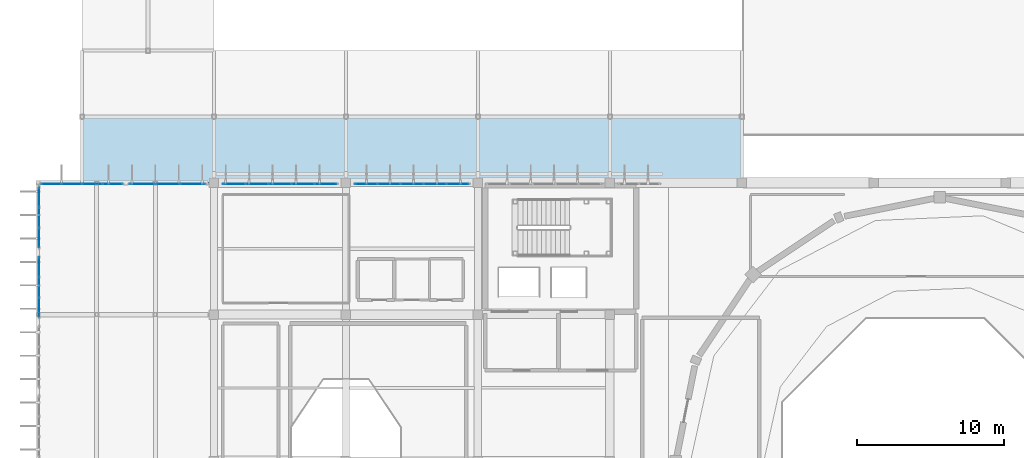
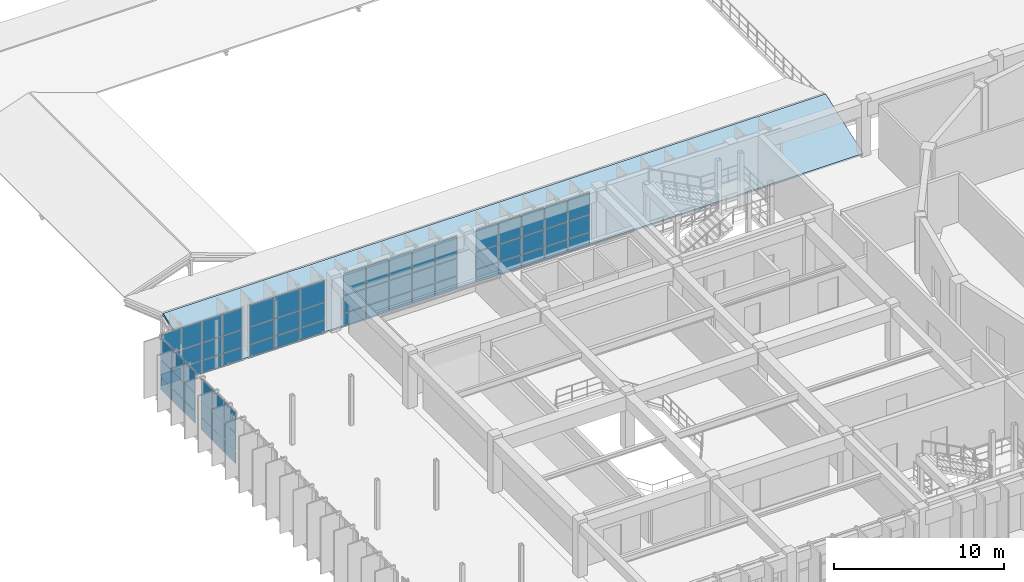
# One storey, part 63 of 80: 69 plates, 1 slab, 6 elements without a shape of their own.
"""IFC4 building model written with IfcOpenShell, lengths in metres."""

import ifcopenshell
import ifcopenshell.guid

model = None  # the IFC model being written
_history = None  # IfcOwnerHistory: only IFC2X3 demands one
_inside = {}  # id of a spatial element -> (the spatial element, [elements in it])
_under = {}  # id of a project, library or spatial element -> (it, [spatial elements below it])
_declared = {}  # id of a project -> (the project, [libraries it declares])
_typed = {}  # id of a type object -> (the type object, [elements of that type])
_made_of = {}  # id of a material, layer set ... -> (it, [elements and type objects made of it])


def new_model(schema):
    """Start an empty IFC model of exactly this schema.

    Asked for "IFC4X3", IfcOpenShell would pick the latest addendum, in which some entities
    have other attributes; the version numbers below select the first issue.
    IFC2X3 requires an IfcOwnerHistory on every rooted entity: one is made here for all.
    """
    global model, _history
    if schema == "IFC4X3":
        model = ifcopenshell.file(schema_version=(4, 3, 0, 0))
    else:
        model = ifcopenshell.file(schema=schema)
    _inside.clear()
    _under.clear()
    _declared.clear()
    _typed.clear()
    _made_of.clear()
    _history = None
    if model.schema == "IFC2X3":
        org = make("IfcOrganization", Name="unknown")
        user = make(
            "IfcPersonAndOrganization",
            ThePerson=make("IfcPerson", FamilyName="unknown"),
            TheOrganization=org,
        )
        app = make(
            "IfcApplication",
            ApplicationDeveloper=org,
            Version="unknown",
            ApplicationFullName="unknown",
            ApplicationIdentifier="unknown",
        )
        _history = make(
            "IfcOwnerHistory",
            OwningUser=user,
            OwningApplication=app,
            ChangeAction="ADDED",
            CreationDate=0,
        )
    return model


def make(cls, **values):
    """One entity of the class cls with the attributes given. An attribute that is None is left unset."""
    return model.create_entity(
        cls, **{name: value for name, value in values.items() if value is not None}
    )


def rooted(cls, **values):
    """An entity with a GlobalId (a new one), such as an element, a storey or a relation."""
    return make(cls, GlobalId=ifcopenshell.guid.new(), OwnerHistory=_history, **values)


def si_unit(unit_type, name, prefix=None):
    """IfcSIUnit, for example si_unit("LENGTHUNIT", "METRE", prefix="MILLI")."""
    return make("IfcSIUnit", UnitType=unit_type, Prefix=prefix, Name=name)


def assignment(units):
    """IfcUnitAssignment: the units of a project."""
    return None if units is None else make("IfcUnitAssignment", Units=units)


def point(xyz):
    """IfcCartesianPoint."""
    return None if xyz is None else make("IfcCartesianPoint", Coordinates=xyz)


def direction(xyz):
    """IfcDirection."""
    return None if xyz is None else make("IfcDirection", DirectionRatios=xyz)


def frame(location, z_axis=None, x_axis=None):
    """IfcAxis2Placement3D, a coordinate frame: its origin and axes. An axis left out is left unset."""
    return make(
        "IfcAxis2Placement3D",
        Location=point(location),
        Axis=direction(z_axis),
        RefDirection=direction(x_axis),
    )


def frame_2d(location, x_axis=None):
    """IfcAxis2Placement2D, a coordinate frame in the plane: its origin and x axis."""
    return make(
        "IfcAxis2Placement2D", Location=point(location), RefDirection=direction(x_axis)
    )


def origin():
    """The frame at (0, 0, 0) with its axes left unset."""
    return frame((0.0, 0.0, 0.0))


def origin_2d():
    """The frame at (0, 0) in the plane with its x axis left unset."""
    return frame_2d((0.0, 0.0))


def place(relative_to, where):
    """IfcLocalPlacement: puts the frame where relative to a parent placement (None: the world)."""
    return make(
        "IfcLocalPlacement", PlacementRelTo=relative_to, RelativePlacement=where
    )


def context(
    kind, dimensions, precision=None, world=None, true_north=None, identifier=None
):
    """IfcGeometricRepresentationContext, for example the 3D "Model" context."""
    return make(
        "IfcGeometricRepresentationContext",
        ContextIdentifier=identifier,
        ContextType=kind,
        CoordinateSpaceDimension=dimensions,
        Precision=precision,
        WorldCoordinateSystem=world,
        TrueNorth=true_north,
    )


def subcontext(parent, identifier, kind, view, scale=None):
    """IfcGeometricRepresentationSubContext, for example "Body" below "Model"."""
    return make(
        "IfcGeometricRepresentationSubContext",
        ContextIdentifier=identifier,
        ContextType=kind,
        ParentContext=parent,
        TargetScale=scale,
        TargetView=view,
    )


def project(units=None, contexts=None):
    """IfcProject with its units and contexts."""
    return rooted(
        "IfcProject",
        Name="project",
        RepresentationContexts=contexts,
        UnitsInContext=assignment(units),
    )


def spatial(cls, under=None, at=None, **own):
    """A site, building, storey or space (cls), placed at a placement, below another one or the project."""
    s = rooted(cls, ObjectPlacement=at, **own)
    if under is not None:
        _under.setdefault(under.id(), (under, []))[1].append(s)
    return s


def polyline(points):
    """IfcPolyline through the points."""
    return make("IfcPolyline", Points=[point(p) for p in points])


def profile(cls, at=None, kind="AREA", **sizes):
    """A parametric profile (cls). Its sizes go by their IFC names, for example OverallWidth=200.0."""
    return make(cls, ProfileType=kind, Position=at, **sizes)


def rectangle(**sizes):
    """IfcRectangleProfileDef."""
    return profile("IfcRectangleProfileDef", **sizes)


def outline(outer, holes=None, kind="AREA"):
    """IfcArbitraryClosedProfileDef: a profile drawn as a closed curve; with holes, ...WithVoids."""
    if holes is None:
        return make("IfcArbitraryClosedProfileDef", ProfileType=kind, OuterCurve=outer)
    return make(
        "IfcArbitraryProfileDefWithVoids",
        ProfileType=kind,
        OuterCurve=outer,
        InnerCurves=holes,
    )


def extrude(swept, where, along, depth):
    """IfcExtrudedAreaSolid: the profile swept, set in the frame where, extruded along a direction by depth."""
    return make(
        "IfcExtrudedAreaSolid",
        SweptArea=swept,
        Position=where,
        ExtrudedDirection=direction(along),
        Depth=depth,
    )


def shape(context_of_items, identifier, shape_type, items):
    """IfcShapeRepresentation: the items that make up one representation, for example the "Body"."""
    return make(
        "IfcShapeRepresentation",
        ContextOfItems=context_of_items,
        RepresentationIdentifier=identifier,
        RepresentationType=shape_type,
        Items=items,
    )


def material(Name=None, Category=None):
    """IfcMaterial."""
    return make("IfcMaterial", Name=Name, Category=Category)


def layer(
    of_material, thickness, ventilated=None, Name=None, Category=None, Priority=None
):
    """IfcMaterialLayer: one layer of a wall or slab, of a material (None: an air gap)."""
    return make(
        "IfcMaterialLayer",
        Material=of_material,
        LayerThickness=thickness,
        IsVentilated=ventilated,
        Name=Name,
        Category=Category,
        Priority=Priority,
    )


def layer_set(layers, Name=None):
    """IfcMaterialLayerSet."""
    return make("IfcMaterialLayerSet", MaterialLayers=layers, LayerSetName=Name)


def made_of(thing, what):
    """Note that an element or type object is made of a material, layer set ...; save() writes the relation."""
    if what is not None:
        _made_of.setdefault(what.id(), (what, []))[1].append(thing)
    return thing


def type_object(cls, material=None, **own):
    """A type object (cls), such as IfcWallType, which elements share."""
    return made_of(rooted(cls, **own), material)


def element(
    cls,
    number,
    at=None,
    inside=None,
    cuts=None,
    type_object=None,
    material=None,
    context=None,
    identifier="Body",
    shape_type=None,
    held_by="IfcProductDefinitionShape",
    body=None,
    shapes=None,
    **own,
):
    """One element of the class cls, such as IfcWall. Its Tag is "e" and its number.

    at: its placement. inside: the storey or other place that contains it. cuts: it is an
    opening in that element (IfcRelVoidsElement). A single representation is given by context,
    identifier, shape_type and body (its items); several are given by shapes. held_by: the class
    of the entity that holds the representations. save() writes the other relations.
    """
    e = rooted(cls, Tag="e%d" % number, ObjectPlacement=at, **own)
    if body is not None:
        shapes = [shape(context, identifier, shape_type, body)]
    if shapes is not None:
        e.Representation = make(held_by, Representations=shapes)
    if inside is not None:
        _inside.setdefault(inside.id(), (inside, []))[1].append(e)
    if cuts is not None:
        rooted(
            "IfcRelVoidsElement", RelatingBuildingElement=cuts, RelatedOpeningElement=e
        )
    if type_object is not None:
        _typed.setdefault(type_object.id(), (type_object, []))[1].append(e)
    return made_of(e, material)


def aggregate(whole, parts):
    """IfcRelAggregates: a whole, such as a stair, and the parts it consists of."""
    return rooted("IfcRelAggregates", RelatingObject=whole, RelatedObjects=parts)


def save(model, path):
    """Write the relations noted so far, then the file.

    IfcRelAggregates (storeys below a building ...), IfcRelContainedInSpatialStructure (elements
    in a storey), IfcRelDefinesByType, IfcRelAssociatesMaterial and IfcRelDeclares: one each for
    every whole, place, type object, material and project.
    """
    for whole, parts in _under.values():
        aggregate(whole, parts)
    for where, things in _inside.values():
        rooted(
            "IfcRelContainedInSpatialStructure",
            RelatedElements=things,
            RelatingStructure=where,
        )
    for kind, things in _typed.values():
        rooted("IfcRelDefinesByType", RelatedObjects=things, RelatingType=kind)
    for what, things in _made_of.values():
        rooted("IfcRelAssociatesMaterial", RelatedObjects=things, RelatingMaterial=what)
    for by, libraries in _declared.values():
        rooted("IfcRelDeclares", RelatingContext=by, RelatedDefinitions=libraries)
    model.write(path)


model = new_model("IFC4")

# Units and contexts
model_context = context("Model", 3, precision=1e-05, world=origin(), true_north=direction((0.0, 1.0)))
body_context = subcontext(model_context, "Body", "Model", "MODEL_VIEW")
ifc_project = project(units=[si_unit("LENGTHUNIT", "METRE"), si_unit("AREAUNIT", "SQUARE_METRE"), si_unit("VOLUMEUNIT", "CUBIC_METRE"), si_unit("PLANEANGLEUNIT", "RADIAN"), si_unit("MASSUNIT", "GRAM", prefix="KILO")], contexts=[model_context])

# Site, building, storey
site_placement = place(None, origin())
site = spatial("IfcSite", under=ifc_project, at=site_placement, CompositionType="ELEMENT")
building_placement = place(site_placement, origin())
building = spatial("IfcBuilding", under=site, at=building_placement, Name="Miravela Opera House", CompositionType="ELEMENT")
storey_placement = place(building_placement, frame((0.0, 0.0, 17.679931640625)))
storey = spatial("IfcBuildingStorey", under=building, at=storey_placement, Name="L04", CompositionType="ELEMENT", Elevation=17.679931640625)

# Curtain wall, plates
ifc_material_1 = material(Name="Anodised architectural bronze aluminium 6063-T6", Category="aluminium")
curtain_wall_type = type_object("IfcCurtainWallType", Name="ARC-CW-02", PredefinedType="NOTDEFINED", material=ifc_material_1)
curtain_wall_1_placement = place(storey_placement, origin())
curtain_wall_1 = element("IfcCurtainWall", 1, at=curtain_wall_1_placement, inside=storey, type_object=curtain_wall_type, Name="Cantilever West Wrapper Glazing B7 CW-L04-033", PredefinedType="NOTDEFINED")
ifc_material_2 = material(Name="Triple-glazed acoustic laminated low-E glass", Category="glass")
ifc_layer_1 = layer(ifc_material_2, 0.035888671875)
ifc_layer_set_1 = layer_set([ifc_layer_1])
plate_type = type_object("IfcPlateType", Name="ARC-CWP-36", PredefinedType="CURTAIN_PANEL", material=ifc_layer_set_1)
plate_1_placement = place(storey_placement, frame((15.080078125, 66.49462890625, 0.06494140625), z_axis=(0.0, 0.0, 1.0), x_axis=(0.0, 1.0, 0.0)))
plate_1 = element("IfcPlate", 2, at=plate_1_placement, type_object=plate_type, Name="CW-02 panel 1.1", PredefinedType="CURTAIN_PANEL", context=body_context, shape_type="SweptSolid", body=[
    extrude(rectangle(XDim=1.299072265625, YDim=0.035888671875, at=origin_2d()), origin(), (0.0, 0.0, 1.0), 0.8525390625),
])
plate_2_placement = place(storey_placement, frame((15.080078125, 66.49462890625, 0.982421875), z_axis=(0.0, 0.0, 1.0), x_axis=(0.0, 1.0, 0.0)))
plate_2 = element("IfcPlate", 3, at=plate_2_placement, type_object=plate_type, Name="CW-02 panel 1.2", PredefinedType="CURTAIN_PANEL", context=body_context, shape_type="SweptSolid", body=[
    extrude(rectangle(XDim=1.299072265625, YDim=0.035888671875, at=origin_2d()), origin(), (0.0, 0.0, 1.0), 1.20068359375),
])
plate_3_placement = place(storey_placement, frame((15.080078125, 66.49462890625, 2.248291015625), z_axis=(0.0, 0.0, 1.0), x_axis=(0.0, 1.0, 0.0)))
plate_3 = element("IfcPlate", 4, at=plate_3_placement, type_object=plate_type, Name="CW-02 panel 1.3", PredefinedType="CURTAIN_PANEL", context=body_context, shape_type="SweptSolid", body=[
    extrude(rectangle(XDim=1.299072265625, YDim=0.035888671875, at=origin_2d()), origin(), (0.0, 0.0, 1.0), 1.5068359375),
])
plate_4_placement = place(storey_placement, frame((15.080078125, 67.875, 0.06494140625), z_axis=(0.0, 0.0, 1.0), x_axis=(0.0, 1.0, 0.0)))
plate_4 = element("IfcPlate", 5, at=plate_4_placement, type_object=plate_type, Name="CW-02 panel 2.1", PredefinedType="CURTAIN_PANEL", context=body_context, shape_type="SweptSolid", body=[
    extrude(rectangle(XDim=1.331787109375, YDim=0.035888671875, at=origin_2d()), origin(), (0.0, 0.0, 1.0), 0.8525390625),
])
plate_5_placement = place(storey_placement, frame((15.080078125, 67.875, 0.982421875), z_axis=(0.0, 0.0, 1.0), x_axis=(0.0, 1.0, 0.0)))
plate_5 = element("IfcPlate", 6, at=plate_5_placement, type_object=plate_type, Name="CW-02 panel 2.2", PredefinedType="CURTAIN_PANEL", context=body_context, shape_type="SweptSolid", body=[
    extrude(rectangle(XDim=1.331787109375, YDim=0.035888671875, at=origin_2d()), origin(), (0.0, 0.0, 1.0), 1.20068359375),
])
plate_6_placement = place(storey_placement, frame((15.080078125, 67.875, 2.248291015625), z_axis=(0.0, 0.0, 1.0), x_axis=(0.0, 1.0, 0.0)))
plate_6 = element("IfcPlate", 7, at=plate_6_placement, type_object=plate_type, Name="CW-02 panel 2.3", PredefinedType="CURTAIN_PANEL", context=body_context, shape_type="SweptSolid", body=[
    extrude(rectangle(XDim=1.331787109375, YDim=0.035888671875, at=origin_2d()), origin(), (0.0, 0.0, 1.0), 1.5068359375),
])
plate_7_placement = place(storey_placement, frame((15.080078125, 69.25537109375, 0.06494140625), z_axis=(0.0, 0.0, 1.0), x_axis=(0.0, 1.0, 0.0)))
plate_7 = element("IfcPlate", 8, at=plate_7_placement, type_object=plate_type, Name="CW-02 panel 3.1", PredefinedType="CURTAIN_PANEL", context=body_context, shape_type="SweptSolid", body=[
    extrude(rectangle(XDim=1.299072265625, YDim=0.035888671875, at=origin_2d()), origin(), (0.0, 0.0, 1.0), 0.8525390625),
])
plate_8_placement = place(storey_placement, frame((15.080078125, 69.25537109375, 0.982421875), z_axis=(0.0, 0.0, 1.0), x_axis=(0.0, 1.0, 0.0)))
plate_8 = element("IfcPlate", 9, at=plate_8_placement, type_object=plate_type, Name="CW-02 panel 3.2", PredefinedType="CURTAIN_PANEL", context=body_context, shape_type="SweptSolid", body=[
    extrude(rectangle(XDim=1.299072265625, YDim=0.035888671875, at=origin_2d()), origin(), (0.0, 0.0, 1.0), 1.20068359375),
])
plate_9_placement = place(storey_placement, frame((15.080078125, 69.25537109375, 2.248291015625), z_axis=(0.0, 0.0, 1.0), x_axis=(0.0, 1.0, 0.0)))
plate_9 = element("IfcPlate", 10, at=plate_9_placement, type_object=plate_type, Name="CW-02 panel 3.3", PredefinedType="CURTAIN_PANEL", context=body_context, shape_type="SweptSolid", body=[
    extrude(rectangle(XDim=1.299072265625, YDim=0.035888671875, at=origin_2d()), origin(), (0.0, 0.0, 1.0), 1.5068359375),
])
aggregate(curtain_wall_1, [plate_1, plate_2, plate_3, plate_4, plate_5, plate_6, plate_7, plate_8, plate_9])

curtain_wall_2_placement = place(storey_placement, origin())
curtain_wall_2 = element("IfcCurtainWall", 11, at=curtain_wall_2_placement, inside=storey, type_object=curtain_wall_type, Name="Cantilever West Wrapper Glazing B8 CW-L04-034", PredefinedType="NOTDEFINED")
plate_10_placement = place(storey_placement, frame((15.080078125, 71.24462890625, 0.06494140625), z_axis=(0.0, 0.0, 1.0), x_axis=(0.0, 1.0, 0.0)))
plate_10 = element("IfcPlate", 12, at=plate_10_placement, type_object=plate_type, Name="CW-02 panel 1.1", PredefinedType="CURTAIN_PANEL", context=body_context, shape_type="SweptSolid", body=[
    extrude(rectangle(XDim=1.299072265625, YDim=0.035888671875, at=origin_2d()), origin(), (0.0, 0.0, 1.0), 0.8525390625),
])
plate_11_placement = place(storey_placement, frame((15.080078125, 71.24462890625, 0.982421875), z_axis=(0.0, 0.0, 1.0), x_axis=(0.0, 1.0, 0.0)))
plate_11 = element("IfcPlate", 13, at=plate_11_placement, type_object=plate_type, Name="CW-02 panel 1.2", PredefinedType="CURTAIN_PANEL", context=body_context, shape_type="SweptSolid", body=[
    extrude(rectangle(XDim=1.299072265625, YDim=0.035888671875, at=origin_2d()), origin(), (0.0, 0.0, 1.0), 1.20068359375),
])
plate_12_placement = place(storey_placement, frame((15.080078125, 71.24462890625, 2.248291015625), z_axis=(0.0, 0.0, 1.0), x_axis=(0.0, 1.0, 0.0)))
plate_12 = element("IfcPlate", 14, at=plate_12_placement, type_object=plate_type, Name="CW-02 panel 1.3", PredefinedType="CURTAIN_PANEL", context=body_context, shape_type="SweptSolid", body=[
    extrude(rectangle(XDim=1.299072265625, YDim=0.035888671875, at=origin_2d()), origin(), (0.0, 0.0, 1.0), 1.5068359375),
])
plate_13_placement = place(storey_placement, frame((15.080078125, 72.625, 0.06494140625), z_axis=(0.0, 0.0, 1.0), x_axis=(0.0, 1.0, 0.0)))
plate_13 = element("IfcPlate", 15, at=plate_13_placement, type_object=plate_type, Name="CW-02 panel 2.1", PredefinedType="CURTAIN_PANEL", context=body_context, shape_type="SweptSolid", body=[
    extrude(rectangle(XDim=1.331787109375, YDim=0.035888671875, at=origin_2d()), origin(), (0.0, 0.0, 1.0), 0.8525390625),
])
plate_14_placement = place(storey_placement, frame((15.080078125, 72.625, 0.982421875), z_axis=(0.0, 0.0, 1.0), x_axis=(0.0, 1.0, 0.0)))
plate_14 = element("IfcPlate", 16, at=plate_14_placement, type_object=plate_type, Name="CW-02 panel 2.2", PredefinedType="CURTAIN_PANEL", context=body_context, shape_type="SweptSolid", body=[
    extrude(rectangle(XDim=1.331787109375, YDim=0.035888671875, at=origin_2d()), origin(), (0.0, 0.0, 1.0), 1.20068359375),
])
plate_15_placement = place(storey_placement, frame((15.080078125, 72.625, 2.248291015625), z_axis=(0.0, 0.0, 1.0), x_axis=(0.0, 1.0, 0.0)))
plate_15 = element("IfcPlate", 17, at=plate_15_placement, type_object=plate_type, Name="CW-02 panel 2.3", PredefinedType="CURTAIN_PANEL", context=body_context, shape_type="SweptSolid", body=[
    extrude(rectangle(XDim=1.331787109375, YDim=0.035888671875, at=origin_2d()), origin(), (0.0, 0.0, 1.0), 1.5068359375),
])
plate_16_placement = place(storey_placement, frame((15.080078125, 74.00537109375, 0.06494140625), z_axis=(0.0, 0.0, 1.0), x_axis=(0.0, 1.0, 0.0)))
plate_16 = element("IfcPlate", 18, at=plate_16_placement, type_object=plate_type, Name="CW-02 panel 3.1", PredefinedType="CURTAIN_PANEL", context=body_context, shape_type="SweptSolid", body=[
    extrude(rectangle(XDim=1.299072265625, YDim=0.035888671875, at=origin_2d()), origin(), (0.0, 0.0, 1.0), 0.8525390625),
])
plate_17_placement = place(storey_placement, frame((15.080078125, 74.00537109375, 0.982421875), z_axis=(0.0, 0.0, 1.0), x_axis=(0.0, 1.0, 0.0)))
plate_17 = element("IfcPlate", 19, at=plate_17_placement, type_object=plate_type, Name="CW-02 panel 3.2", PredefinedType="CURTAIN_PANEL", context=body_context, shape_type="SweptSolid", body=[
    extrude(rectangle(XDim=1.299072265625, YDim=0.035888671875, at=origin_2d()), origin(), (0.0, 0.0, 1.0), 1.20068359375),
])
plate_18_placement = place(storey_placement, frame((15.080078125, 74.00537109375, 2.248291015625), z_axis=(0.0, 0.0, 1.0), x_axis=(0.0, 1.0, 0.0)))
plate_18 = element("IfcPlate", 20, at=plate_18_placement, type_object=plate_type, Name="CW-02 panel 3.3", PredefinedType="CURTAIN_PANEL", context=body_context, shape_type="SweptSolid", body=[
    extrude(rectangle(XDim=1.299072265625, YDim=0.035888671875, at=origin_2d()), origin(), (0.0, 0.0, 1.0), 1.5068359375),
])
aggregate(curtain_wall_2, [plate_10, plate_11, plate_12, plate_13, plate_14, plate_15, plate_16, plate_17, plate_18])

curtain_wall_3_placement = place(storey_placement, origin())
curtain_wall_3 = element("IfcCurtainWall", 21, at=curtain_wall_3_placement, inside=storey, type_object=curtain_wall_type, Name="Auditorium North Wrapper Glazing CW-L04-035", PredefinedType="NOTDEFINED")
plate_19_placement = place(storey_placement, frame((15.916259765625, 74.919921875, 0.06494140625), z_axis=(0.0, 0.0, 1.0), x_axis=(1.0, 0.0, 0.0)))
plate_19 = element("IfcPlate", 22, at=plate_19_placement, type_object=plate_type, Name="CW-02 panel 1.1", PredefinedType="CURTAIN_PANEL", context=body_context, shape_type="SweptSolid", body=[
    extrude(rectangle(XDim=1.302490234375, YDim=0.035888671875, at=origin_2d()), origin(), (0.0, 0.0, 1.0), 0.8525390625),
])
plate_20_placement = place(storey_placement, frame((15.916259765625, 74.919921875, 0.982421875), z_axis=(0.0, 0.0, 1.0), x_axis=(1.0, 0.0, 0.0)))
plate_20 = element("IfcPlate", 23, at=plate_20_placement, type_object=plate_type, Name="CW-02 panel 1.2", PredefinedType="CURTAIN_PANEL", context=body_context, shape_type="SweptSolid", body=[
    extrude(rectangle(XDim=1.302490234375, YDim=0.035888671875, at=origin_2d()), origin(), (0.0, 0.0, 1.0), 1.20068359375),
])
plate_21_placement = place(storey_placement, frame((15.916259765625, 74.919921875, 2.248291015625), z_axis=(0.0, 0.0, 1.0), x_axis=(1.0, 0.0, 0.0)))
plate_21 = element("IfcPlate", 24, at=plate_21_placement, type_object=plate_type, Name="CW-02 panel 1.3", PredefinedType="CURTAIN_PANEL", context=body_context, shape_type="SweptSolid", body=[
    extrude(rectangle(XDim=1.302490234375, YDim=0.035888671875, at=origin_2d()), origin(), (0.0, 0.0, 1.0), 1.5068359375),
])
plate_22_placement = place(storey_placement, frame((17.300048828125, 74.919921875, 0.06494140625), z_axis=(0.0, 0.0, 1.0), x_axis=(1.0, 0.0, 0.0)))
plate_22 = element("IfcPlate", 25, at=plate_22_placement, type_object=plate_type, Name="CW-02 panel 2.1", PredefinedType="CURTAIN_PANEL", context=body_context, shape_type="SweptSolid", body=[
    extrude(rectangle(XDim=1.3349609375, YDim=0.035888671875, at=origin_2d()), origin(), (0.0, 0.0, 1.0), 0.8525390625),
])
plate_23_placement = place(storey_placement, frame((17.300048828125, 74.919921875, 0.982421875), z_axis=(0.0, 0.0, 1.0), x_axis=(1.0, 0.0, 0.0)))
plate_23 = element("IfcPlate", 26, at=plate_23_placement, type_object=plate_type, Name="CW-02 panel 2.2", PredefinedType="CURTAIN_PANEL", context=body_context, shape_type="SweptSolid", body=[
    extrude(rectangle(XDim=1.3349609375, YDim=0.035888671875, at=origin_2d()), origin(), (0.0, 0.0, 1.0), 1.20068359375),
])
plate_24_placement = place(storey_placement, frame((17.300048828125, 74.919921875, 2.248291015625), z_axis=(0.0, 0.0, 1.0), x_axis=(1.0, 0.0, 0.0)))
plate_24 = element("IfcPlate", 27, at=plate_24_placement, type_object=plate_type, Name="CW-02 panel 2.3", PredefinedType="CURTAIN_PANEL", context=body_context, shape_type="SweptSolid", body=[
    extrude(rectangle(XDim=1.3349609375, YDim=0.035888671875, at=origin_2d()), origin(), (0.0, 0.0, 1.0), 1.5068359375),
])
plate_25_placement = place(storey_placement, frame((18.699951171875, 74.919921875, 0.06494140625), z_axis=(0.0, 0.0, 1.0), x_axis=(1.0, 0.0, 0.0)))
plate_25 = element("IfcPlate", 28, at=plate_25_placement, type_object=plate_type, Name="CW-02 panel 3.1", PredefinedType="CURTAIN_PANEL", context=body_context, shape_type="SweptSolid", body=[
    extrude(rectangle(XDim=1.3349609375, YDim=0.035888671875, at=origin_2d()), origin(), (0.0, 0.0, 1.0), 0.8525390625),
])
plate_26_placement = place(storey_placement, frame((18.699951171875, 74.919921875, 0.982421875), z_axis=(0.0, 0.0, 1.0), x_axis=(1.0, 0.0, 0.0)))
plate_26 = element("IfcPlate", 29, at=plate_26_placement, type_object=plate_type, Name="CW-02 panel 3.2", PredefinedType="CURTAIN_PANEL", context=body_context, shape_type="SweptSolid", body=[
    extrude(rectangle(XDim=1.3349609375, YDim=0.035888671875, at=origin_2d()), origin(), (0.0, 0.0, 1.0), 1.20068359375),
])
plate_27_placement = place(storey_placement, frame((18.699951171875, 74.919921875, 2.248291015625), z_axis=(0.0, 0.0, 1.0), x_axis=(1.0, 0.0, 0.0)))
plate_27 = element("IfcPlate", 30, at=plate_27_placement, type_object=plate_type, Name="CW-02 panel 3.3", PredefinedType="CURTAIN_PANEL", context=body_context, shape_type="SweptSolid", body=[
    extrude(rectangle(XDim=1.3349609375, YDim=0.035888671875, at=origin_2d()), origin(), (0.0, 0.0, 1.0), 1.5068359375),
])
plate_28_placement = place(storey_placement, frame((20.083740234375, 74.919921875, 0.06494140625), z_axis=(0.0, 0.0, 1.0), x_axis=(1.0, 0.0, 0.0)))
plate_28 = element("IfcPlate", 31, at=plate_28_placement, type_object=plate_type, Name="CW-02 panel 4.1", PredefinedType="CURTAIN_PANEL", context=body_context, shape_type="SweptSolid", body=[
    extrude(rectangle(XDim=1.302490234375, YDim=0.035888671875, at=origin_2d()), origin(), (0.0, 0.0, 1.0), 0.8525390625),
])
plate_29_placement = place(storey_placement, frame((20.083740234375, 74.919921875, 0.982421875), z_axis=(0.0, 0.0, 1.0), x_axis=(1.0, 0.0, 0.0)))
plate_29 = element("IfcPlate", 32, at=plate_29_placement, type_object=plate_type, Name="CW-02 panel 4.2", PredefinedType="CURTAIN_PANEL", context=body_context, shape_type="SweptSolid", body=[
    extrude(rectangle(XDim=1.302490234375, YDim=0.035888671875, at=origin_2d()), origin(), (0.0, 0.0, 1.0), 1.20068359375),
])
plate_30_placement = place(storey_placement, frame((20.083740234375, 74.919921875, 2.248291015625), z_axis=(0.0, 0.0, 1.0), x_axis=(1.0, 0.0, 0.0)))
plate_30 = element("IfcPlate", 33, at=plate_30_placement, type_object=plate_type, Name="CW-02 panel 4.3", PredefinedType="CURTAIN_PANEL", context=body_context, shape_type="SweptSolid", body=[
    extrude(rectangle(XDim=1.302490234375, YDim=0.035888671875, at=origin_2d()), origin(), (0.0, 0.0, 1.0), 1.5068359375),
])
aggregate(curtain_wall_3, [plate_19, plate_20, plate_21, plate_22, plate_23, plate_24, plate_25, plate_26, plate_27, plate_28, plate_29, plate_30])

curtain_wall_4_placement = place(storey_placement, origin())
curtain_wall_4 = element("IfcCurtainWall", 34, at=curtain_wall_4_placement, inside=storey, type_object=curtain_wall_type, Name="Auditorium North Wrapper Glazing CW-L04-037", PredefinedType="NOTDEFINED")
plate_31_placement = place(storey_placement, frame((22.086181640625, 74.919921875, 0.06494140625), z_axis=(0.0, 0.0, 1.0), x_axis=(1.0, 0.0, 0.0)))
plate_31 = element("IfcPlate", 35, at=plate_31_placement, type_object=plate_type, Name="CW-02 panel 1.1", PredefinedType="CURTAIN_PANEL", context=body_context, shape_type="SweptSolid", body=[
    extrude(rectangle(XDim=1.642578125, YDim=0.035888671875, at=origin_2d()), origin(), (0.0, 0.0, 1.0), 0.8525390625),
])
plate_32_placement = place(storey_placement, frame((22.086181640625, 74.919921875, 0.982421875), z_axis=(0.0, 0.0, 1.0), x_axis=(1.0, 0.0, 0.0)))
plate_32 = element("IfcPlate", 36, at=plate_32_placement, type_object=plate_type, Name="CW-02 panel 1.2", PredefinedType="CURTAIN_PANEL", context=body_context, shape_type="SweptSolid", body=[
    extrude(rectangle(XDim=1.642578125, YDim=0.035888671875, at=origin_2d()), origin(), (0.0, 0.0, 1.0), 1.20068359375),
])
plate_33_placement = place(storey_placement, frame((22.086181640625, 74.919921875, 2.248291015625), z_axis=(0.0, 0.0, 1.0), x_axis=(1.0, 0.0, 0.0)))
plate_33 = element("IfcPlate", 37, at=plate_33_placement, type_object=plate_type, Name="CW-02 panel 1.3", PredefinedType="CURTAIN_PANEL", context=body_context, shape_type="SweptSolid", body=[
    extrude(rectangle(XDim=1.642578125, YDim=0.035888671875, at=origin_2d()), origin(), (0.0, 0.0, 1.0), 1.5068359375),
])
plate_34_placement = place(storey_placement, frame((23.81005859375, 74.919921875, 0.06494140625), z_axis=(0.0, 0.0, 1.0), x_axis=(1.0, 0.0, 0.0)))
plate_34 = element("IfcPlate", 38, at=plate_34_placement, type_object=plate_type, Name="CW-02 panel 2.1", PredefinedType="CURTAIN_PANEL", context=body_context, shape_type="SweptSolid", body=[
    extrude(rectangle(XDim=1.675048828125, YDim=0.035888671875, at=origin_2d()), origin(), (0.0, 0.0, 1.0), 0.8525390625),
])
plate_35_placement = place(storey_placement, frame((23.81005859375, 74.919921875, 0.982421875), z_axis=(0.0, 0.0, 1.0), x_axis=(1.0, 0.0, 0.0)))
plate_35 = element("IfcPlate", 39, at=plate_35_placement, type_object=plate_type, Name="CW-02 panel 2.2", PredefinedType="CURTAIN_PANEL", context=body_context, shape_type="SweptSolid", body=[
    extrude(rectangle(XDim=1.675048828125, YDim=0.035888671875, at=origin_2d()), origin(), (0.0, 0.0, 1.0), 1.20068359375),
])
plate_36_placement = place(storey_placement, frame((23.81005859375, 74.919921875, 2.248291015625), z_axis=(0.0, 0.0, 1.0), x_axis=(1.0, 0.0, 0.0)))
plate_36 = element("IfcPlate", 40, at=plate_36_placement, type_object=plate_type, Name="CW-02 panel 2.3", PredefinedType="CURTAIN_PANEL", context=body_context, shape_type="SweptSolid", body=[
    extrude(rectangle(XDim=1.675048828125, YDim=0.035888671875, at=origin_2d()), origin(), (0.0, 0.0, 1.0), 1.5068359375),
])
plate_37_placement = place(storey_placement, frame((25.53369140625, 74.919921875, 0.06494140625), z_axis=(0.0, 0.0, 1.0), x_axis=(1.0, 0.0, 0.0)))
plate_37 = element("IfcPlate", 41, at=plate_37_placement, type_object=plate_type, Name="CW-02 panel 3.1", PredefinedType="CURTAIN_PANEL", context=body_context, shape_type="SweptSolid", body=[
    extrude(rectangle(XDim=1.642578125, YDim=0.035888671875, at=origin_2d()), origin(), (0.0, 0.0, 1.0), 0.8525390625),
])
plate_38_placement = place(storey_placement, frame((25.53369140625, 74.919921875, 0.982421875), z_axis=(0.0, 0.0, 1.0), x_axis=(1.0, 0.0, 0.0)))
plate_38 = element("IfcPlate", 42, at=plate_38_placement, type_object=plate_type, Name="CW-02 panel 3.2", PredefinedType="CURTAIN_PANEL", context=body_context, shape_type="SweptSolid", body=[
    extrude(rectangle(XDim=1.642578125, YDim=0.035888671875, at=origin_2d()), origin(), (0.0, 0.0, 1.0), 1.20068359375),
])
plate_39_placement = place(storey_placement, frame((25.53369140625, 74.919921875, 2.248291015625), z_axis=(0.0, 0.0, 1.0), x_axis=(1.0, 0.0, 0.0)))
plate_39 = element("IfcPlate", 43, at=plate_39_placement, type_object=plate_type, Name="CW-02 panel 3.3", PredefinedType="CURTAIN_PANEL", context=body_context, shape_type="SweptSolid", body=[
    extrude(rectangle(XDim=1.642578125, YDim=0.035888671875, at=origin_2d()), origin(), (0.0, 0.0, 1.0), 1.5068359375),
])
aggregate(curtain_wall_4, [plate_31, plate_32, plate_33, plate_34, plate_35, plate_36, plate_37, plate_38, plate_39])

curtain_wall_5_placement = place(storey_placement, origin())
curtain_wall_5 = element("IfcCurtainWall", 44, at=curtain_wall_5_placement, inside=storey, type_object=curtain_wall_type, Name="Auditorium North Wrapper Glazing CW-L04-039", PredefinedType="NOTDEFINED")
plate_40_placement = place(storey_placement, frame((28.38037109375, 74.919921875, 0.06494140625), z_axis=(0.0, 0.0, 1.0), x_axis=(1.0, 0.0, 0.0)))
plate_40 = element("IfcPlate", 45, at=plate_40_placement, type_object=plate_type, Name="CW-02 panel 1.1", PredefinedType="CURTAIN_PANEL", context=body_context, shape_type="SweptSolid", body=[
    extrude(rectangle(XDim=1.470458984375, YDim=0.035888671875, at=origin_2d()), origin(), (0.0, 0.0, 1.0), 0.8525390625),
])
plate_41_placement = place(storey_placement, frame((28.38037109375, 74.919921875, 0.982421875), z_axis=(0.0, 0.0, 1.0), x_axis=(1.0, 0.0, 0.0)))
plate_41 = element("IfcPlate", 46, at=plate_41_placement, type_object=plate_type, Name="CW-02 panel 1.2", PredefinedType="CURTAIN_PANEL", context=body_context, shape_type="SweptSolid", body=[
    extrude(rectangle(XDim=1.470458984375, YDim=0.035888671875, at=origin_2d()), origin(), (0.0, 0.0, 1.0), 1.20068359375),
])
plate_42_placement = place(storey_placement, frame((28.38037109375, 74.919921875, 2.248291015625), z_axis=(0.0, 0.0, 1.0), x_axis=(1.0, 0.0, 0.0)))
plate_42 = element("IfcPlate", 47, at=plate_42_placement, type_object=plate_type, Name="CW-02 panel 1.3", PredefinedType="CURTAIN_PANEL", context=body_context, shape_type="SweptSolid", body=[
    extrude(rectangle(XDim=1.470458984375, YDim=0.035888671875, at=origin_2d()), origin(), (0.0, 0.0, 1.0), 1.5068359375),
])
plate_43_placement = place(storey_placement, frame((29.931884765625, 74.919921875, 0.06494140625), z_axis=(0.0, 0.0, 1.0), x_axis=(1.0, 0.0, 0.0)))
plate_43 = element("IfcPlate", 48, at=plate_43_placement, type_object=plate_type, Name="CW-02 panel 2.1", PredefinedType="CURTAIN_PANEL", context=body_context, shape_type="SweptSolid", body=[
    extrude(rectangle(XDim=1.5029296875, YDim=0.035888671875, at=origin_2d()), origin(), (0.0, 0.0, 1.0), 0.8525390625),
])
plate_44_placement = place(storey_placement, frame((29.931884765625, 74.919921875, 0.982421875), z_axis=(0.0, 0.0, 1.0), x_axis=(1.0, 0.0, 0.0)))
plate_44 = element("IfcPlate", 49, at=plate_44_placement, type_object=plate_type, Name="CW-02 panel 2.2", PredefinedType="CURTAIN_PANEL", context=body_context, shape_type="SweptSolid", body=[
    extrude(rectangle(XDim=1.5029296875, YDim=0.035888671875, at=origin_2d()), origin(), (0.0, 0.0, 1.0), 1.20068359375),
])
plate_45_placement = place(storey_placement, frame((29.931884765625, 74.919921875, 2.248291015625), z_axis=(0.0, 0.0, 1.0), x_axis=(1.0, 0.0, 0.0)))
plate_45 = element("IfcPlate", 50, at=plate_45_placement, type_object=plate_type, Name="CW-02 panel 2.3", PredefinedType="CURTAIN_PANEL", context=body_context, shape_type="SweptSolid", body=[
    extrude(rectangle(XDim=1.5029296875, YDim=0.035888671875, at=origin_2d()), origin(), (0.0, 0.0, 1.0), 1.5068359375),
])
plate_46_placement = place(storey_placement, frame((31.5, 74.919921875, 0.06494140625), z_axis=(0.0, 0.0, 1.0), x_axis=(1.0, 0.0, 0.0)))
plate_46 = element("IfcPlate", 51, at=plate_46_placement, type_object=plate_type, Name="CW-02 panel 3.1", PredefinedType="CURTAIN_PANEL", context=body_context, shape_type="SweptSolid", body=[
    extrude(rectangle(XDim=1.5029296875, YDim=0.035888671875, at=origin_2d()), origin(), (0.0, 0.0, 1.0), 0.8525390625),
])
plate_47_placement = place(storey_placement, frame((31.5, 74.919921875, 0.982421875), z_axis=(0.0, 0.0, 1.0), x_axis=(1.0, 0.0, 0.0)))
plate_47 = element("IfcPlate", 52, at=plate_47_placement, type_object=plate_type, Name="CW-02 panel 3.2", PredefinedType="CURTAIN_PANEL", context=body_context, shape_type="SweptSolid", body=[
    extrude(rectangle(XDim=1.5029296875, YDim=0.035888671875, at=origin_2d()), origin(), (0.0, 0.0, 1.0), 1.20068359375),
])
plate_48_placement = place(storey_placement, frame((31.5, 74.919921875, 2.248291015625), z_axis=(0.0, 0.0, 1.0), x_axis=(1.0, 0.0, 0.0)))
plate_48 = element("IfcPlate", 53, at=plate_48_placement, type_object=plate_type, Name="CW-02 panel 3.3", PredefinedType="CURTAIN_PANEL", context=body_context, shape_type="SweptSolid", body=[
    extrude(rectangle(XDim=1.5029296875, YDim=0.035888671875, at=origin_2d()), origin(), (0.0, 0.0, 1.0), 1.5068359375),
])
plate_49_placement = place(storey_placement, frame((33.068115234375, 74.919921875, 0.06494140625), z_axis=(0.0, 0.0, 1.0), x_axis=(1.0, 0.0, 0.0)))
plate_49 = element("IfcPlate", 54, at=plate_49_placement, type_object=plate_type, Name="CW-02 panel 4.1", PredefinedType="CURTAIN_PANEL", context=body_context, shape_type="SweptSolid", body=[
    extrude(rectangle(XDim=1.5029296875, YDim=0.035888671875, at=origin_2d()), origin(), (0.0, 0.0, 1.0), 0.8525390625),
])
plate_50_placement = place(storey_placement, frame((33.068115234375, 74.919921875, 0.982421875), z_axis=(0.0, 0.0, 1.0), x_axis=(1.0, 0.0, 0.0)))
plate_50 = element("IfcPlate", 55, at=plate_50_placement, type_object=plate_type, Name="CW-02 panel 4.2", PredefinedType="CURTAIN_PANEL", context=body_context, shape_type="SweptSolid", body=[
    extrude(rectangle(XDim=1.5029296875, YDim=0.035888671875, at=origin_2d()), origin(), (0.0, 0.0, 1.0), 1.20068359375),
])
plate_51_placement = place(storey_placement, frame((33.068115234375, 74.919921875, 2.248291015625), z_axis=(0.0, 0.0, 1.0), x_axis=(1.0, 0.0, 0.0)))
plate_51 = element("IfcPlate", 56, at=plate_51_placement, type_object=plate_type, Name="CW-02 panel 4.3", PredefinedType="CURTAIN_PANEL", context=body_context, shape_type="SweptSolid", body=[
    extrude(rectangle(XDim=1.5029296875, YDim=0.035888671875, at=origin_2d()), origin(), (0.0, 0.0, 1.0), 1.5068359375),
])
plate_52_placement = place(storey_placement, frame((34.61962890625, 74.919921875, 0.06494140625), z_axis=(0.0, 0.0, 1.0), x_axis=(1.0, 0.0, 0.0)))
plate_52 = element("IfcPlate", 57, at=plate_52_placement, type_object=plate_type, Name="CW-02 panel 5.1", PredefinedType="CURTAIN_PANEL", context=body_context, shape_type="SweptSolid", body=[
    extrude(rectangle(XDim=1.470458984375, YDim=0.035888671875, at=origin_2d()), origin(), (0.0, 0.0, 1.0), 0.8525390625),
])
plate_53_placement = place(storey_placement, frame((34.61962890625, 74.919921875, 0.982421875), z_axis=(0.0, 0.0, 1.0), x_axis=(1.0, 0.0, 0.0)))
plate_53 = element("IfcPlate", 58, at=plate_53_placement, type_object=plate_type, Name="CW-02 panel 5.2", PredefinedType="CURTAIN_PANEL", context=body_context, shape_type="SweptSolid", body=[
    extrude(rectangle(XDim=1.470458984375, YDim=0.035888671875, at=origin_2d()), origin(), (0.0, 0.0, 1.0), 1.20068359375),
])
plate_54_placement = place(storey_placement, frame((34.61962890625, 74.919921875, 2.248291015625), z_axis=(0.0, 0.0, 1.0), x_axis=(1.0, 0.0, 0.0)))
plate_54 = element("IfcPlate", 59, at=plate_54_placement, type_object=plate_type, Name="CW-02 panel 5.3", PredefinedType="CURTAIN_PANEL", context=body_context, shape_type="SweptSolid", body=[
    extrude(rectangle(XDim=1.470458984375, YDim=0.035888671875, at=origin_2d()), origin(), (0.0, 0.0, 1.0), 1.5068359375),
])
aggregate(curtain_wall_5, [plate_40, plate_41, plate_42, plate_43, plate_44, plate_45, plate_46, plate_47, plate_48, plate_49, plate_50, plate_51, plate_52, plate_53, plate_54])

curtain_wall_6_placement = place(storey_placement, origin())
curtain_wall_6 = element("IfcCurtainWall", 60, at=curtain_wall_6_placement, inside=storey, type_object=curtain_wall_type, Name="Auditorium North Wrapper Glazing CW-L04-041", PredefinedType="NOTDEFINED")
plate_55_placement = place(storey_placement, frame((37.38037109375, 74.919921875, 0.06494140625), z_axis=(0.0, 0.0, 1.0), x_axis=(1.0, 0.0, 0.0)))
plate_55 = element("IfcPlate", 61, at=plate_55_placement, type_object=plate_type, Name="CW-02 panel 1.1", PredefinedType="CURTAIN_PANEL", context=body_context, shape_type="SweptSolid", body=[
    extrude(rectangle(XDim=1.470458984375, YDim=0.035888671875, at=origin_2d()), origin(), (0.0, 0.0, 1.0), 0.8525390625),
])
plate_56_placement = place(storey_placement, frame((37.38037109375, 74.919921875, 0.982421875), z_axis=(0.0, 0.0, 1.0), x_axis=(1.0, 0.0, 0.0)))
plate_56 = element("IfcPlate", 62, at=plate_56_placement, type_object=plate_type, Name="CW-02 panel 1.2", PredefinedType="CURTAIN_PANEL", context=body_context, shape_type="SweptSolid", body=[
    extrude(rectangle(XDim=1.470458984375, YDim=0.035888671875, at=origin_2d()), origin(), (0.0, 0.0, 1.0), 1.20068359375),
])
plate_57_placement = place(storey_placement, frame((37.38037109375, 74.919921875, 2.248291015625), z_axis=(0.0, 0.0, 1.0), x_axis=(1.0, 0.0, 0.0)))
plate_57 = element("IfcPlate", 63, at=plate_57_placement, type_object=plate_type, Name="CW-02 panel 1.3", PredefinedType="CURTAIN_PANEL", context=body_context, shape_type="SweptSolid", body=[
    extrude(rectangle(XDim=1.470458984375, YDim=0.035888671875, at=origin_2d()), origin(), (0.0, 0.0, 1.0), 1.5068359375),
])
plate_58_placement = place(storey_placement, frame((38.931884765625, 74.919921875, 0.06494140625), z_axis=(0.0, 0.0, 1.0), x_axis=(1.0, 0.0, 0.0)))
plate_58 = element("IfcPlate", 64, at=plate_58_placement, type_object=plate_type, Name="CW-02 panel 2.1", PredefinedType="CURTAIN_PANEL", context=body_context, shape_type="SweptSolid", body=[
    extrude(rectangle(XDim=1.5029296875, YDim=0.035888671875, at=origin_2d()), origin(), (0.0, 0.0, 1.0), 0.8525390625),
])
plate_59_placement = place(storey_placement, frame((38.931884765625, 74.919921875, 0.982421875), z_axis=(0.0, 0.0, 1.0), x_axis=(1.0, 0.0, 0.0)))
plate_59 = element("IfcPlate", 65, at=plate_59_placement, type_object=plate_type, Name="CW-02 panel 2.2", PredefinedType="CURTAIN_PANEL", context=body_context, shape_type="SweptSolid", body=[
    extrude(rectangle(XDim=1.5029296875, YDim=0.035888671875, at=origin_2d()), origin(), (0.0, 0.0, 1.0), 1.20068359375),
])
plate_60_placement = place(storey_placement, frame((38.931884765625, 74.919921875, 2.248291015625), z_axis=(0.0, 0.0, 1.0), x_axis=(1.0, 0.0, 0.0)))
plate_60 = element("IfcPlate", 66, at=plate_60_placement, type_object=plate_type, Name="CW-02 panel 2.3", PredefinedType="CURTAIN_PANEL", context=body_context, shape_type="SweptSolid", body=[
    extrude(rectangle(XDim=1.5029296875, YDim=0.035888671875, at=origin_2d()), origin(), (0.0, 0.0, 1.0), 1.5068359375),
])
plate_61_placement = place(storey_placement, frame((40.5, 74.919921875, 0.06494140625), z_axis=(0.0, 0.0, 1.0), x_axis=(1.0, 0.0, 0.0)))
plate_61 = element("IfcPlate", 67, at=plate_61_placement, type_object=plate_type, Name="CW-02 panel 3.1", PredefinedType="CURTAIN_PANEL", context=body_context, shape_type="SweptSolid", body=[
    extrude(rectangle(XDim=1.5029296875, YDim=0.035888671875, at=origin_2d()), origin(), (0.0, 0.0, 1.0), 0.8525390625),
])
plate_62_placement = place(storey_placement, frame((40.5, 74.919921875, 0.982421875), z_axis=(0.0, 0.0, 1.0), x_axis=(1.0, 0.0, 0.0)))
plate_62 = element("IfcPlate", 68, at=plate_62_placement, type_object=plate_type, Name="CW-02 panel 3.2", PredefinedType="CURTAIN_PANEL", context=body_context, shape_type="SweptSolid", body=[
    extrude(rectangle(XDim=1.5029296875, YDim=0.035888671875, at=origin_2d()), origin(), (0.0, 0.0, 1.0), 1.20068359375),
])
plate_63_placement = place(storey_placement, frame((40.5, 74.919921875, 2.248291015625), z_axis=(0.0, 0.0, 1.0), x_axis=(1.0, 0.0, 0.0)))
plate_63 = element("IfcPlate", 69, at=plate_63_placement, type_object=plate_type, Name="CW-02 panel 3.3", PredefinedType="CURTAIN_PANEL", context=body_context, shape_type="SweptSolid", body=[
    extrude(rectangle(XDim=1.5029296875, YDim=0.035888671875, at=origin_2d()), origin(), (0.0, 0.0, 1.0), 1.5068359375),
])
plate_64_placement = place(storey_placement, frame((42.068115234375, 74.919921875, 0.06494140625), z_axis=(0.0, 0.0, 1.0), x_axis=(1.0, 0.0, 0.0)))
plate_64 = element("IfcPlate", 70, at=plate_64_placement, type_object=plate_type, Name="CW-02 panel 4.1", PredefinedType="CURTAIN_PANEL", context=body_context, shape_type="SweptSolid", body=[
    extrude(rectangle(XDim=1.5029296875, YDim=0.035888671875, at=origin_2d()), origin(), (0.0, 0.0, 1.0), 0.8525390625),
])
plate_65_placement = place(storey_placement, frame((42.068115234375, 74.919921875, 0.982421875), z_axis=(0.0, 0.0, 1.0), x_axis=(1.0, 0.0, 0.0)))
plate_65 = element("IfcPlate", 71, at=plate_65_placement, type_object=plate_type, Name="CW-02 panel 4.2", PredefinedType="CURTAIN_PANEL", context=body_context, shape_type="SweptSolid", body=[
    extrude(rectangle(XDim=1.5029296875, YDim=0.035888671875, at=origin_2d()), origin(), (0.0, 0.0, 1.0), 1.20068359375),
])
plate_66_placement = place(storey_placement, frame((42.068115234375, 74.919921875, 2.248291015625), z_axis=(0.0, 0.0, 1.0), x_axis=(1.0, 0.0, 0.0)))
plate_66 = element("IfcPlate", 72, at=plate_66_placement, type_object=plate_type, Name="CW-02 panel 4.3", PredefinedType="CURTAIN_PANEL", context=body_context, shape_type="SweptSolid", body=[
    extrude(rectangle(XDim=1.5029296875, YDim=0.035888671875, at=origin_2d()), origin(), (0.0, 0.0, 1.0), 1.5068359375),
])
plate_67_placement = place(storey_placement, frame((43.61962890625, 74.919921875, 0.06494140625), z_axis=(0.0, 0.0, 1.0), x_axis=(1.0, 0.0, 0.0)))
plate_67 = element("IfcPlate", 73, at=plate_67_placement, type_object=plate_type, Name="CW-02 panel 5.1", PredefinedType="CURTAIN_PANEL", context=body_context, shape_type="SweptSolid", body=[
    extrude(rectangle(XDim=1.470458984375, YDim=0.035888671875, at=origin_2d()), origin(), (0.0, 0.0, 1.0), 0.8525390625),
])
plate_68_placement = place(storey_placement, frame((43.61962890625, 74.919921875, 0.982421875), z_axis=(0.0, 0.0, 1.0), x_axis=(1.0, 0.0, 0.0)))
plate_68 = element("IfcPlate", 74, at=plate_68_placement, type_object=plate_type, Name="CW-02 panel 5.2", PredefinedType="CURTAIN_PANEL", context=body_context, shape_type="SweptSolid", body=[
    extrude(rectangle(XDim=1.470458984375, YDim=0.035888671875, at=origin_2d()), origin(), (0.0, 0.0, 1.0), 1.20068359375),
])
plate_69_placement = place(storey_placement, frame((43.61962890625, 74.919921875, 2.248291015625), z_axis=(0.0, 0.0, 1.0), x_axis=(1.0, 0.0, 0.0)))
plate_69 = element("IfcPlate", 75, at=plate_69_placement, type_object=plate_type, Name="CW-02 panel 5.3", PredefinedType="CURTAIN_PANEL", context=body_context, shape_type="SweptSolid", body=[
    extrude(rectangle(XDim=1.470458984375, YDim=0.035888671875, at=origin_2d()), origin(), (0.0, 0.0, 1.0), 1.5068359375),
])
aggregate(curtain_wall_6, [plate_55, plate_56, plate_57, plate_58, plate_59, plate_60, plate_61, plate_62, plate_63, plate_64, plate_65, plate_66, plate_67, plate_68, plate_69])

# Slab
ifc_material_3 = material(Name="Concrete C35/45", Category="concrete")
ifc_layer_2 = layer(ifc_material_3, 0.169921875)
ifc_layer_set_2 = layer_set([ifc_layer_2])
slab_type = type_object("IfcSlabType", Name="STR-ROOF-TILE-170", PredefinedType="ROOF", material=ifc_layer_set_2)
slab_placement = place(storey_placement, frame((18.0, 75.0, 0.0), z_axis=(0.0, -0.33502804432, 0.942208156152), x_axis=(1.0, 0.0, 0.0)))
element("IfcSlab", 76, at=slab_placement, inside=storey, type_object=slab_type, Name="Pitched Clay Barrel-Tile Roof Slab ROOF-V3-WEST-S Slope 1", PredefinedType="ROOF", context=body_context, shape_type="SweptSolid", body=[
    extrude(outline(polyline([(0.0, 0.0), (45.0, 0.0), (45.0, 4.717713734859587), (0.0, 4.717713734859587), (0.0, 0.0)])), origin(), (0.0, 0.0, -1.0), 0.169921875),
])

save(model, "model.ifc")
